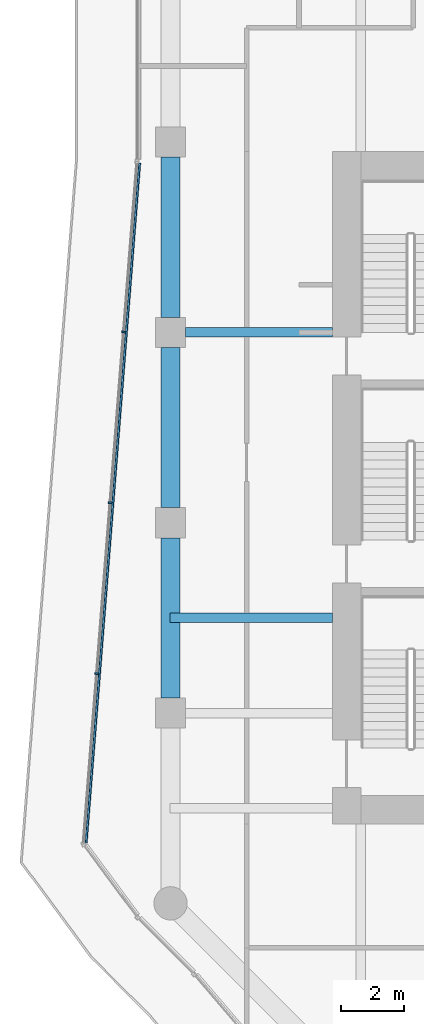
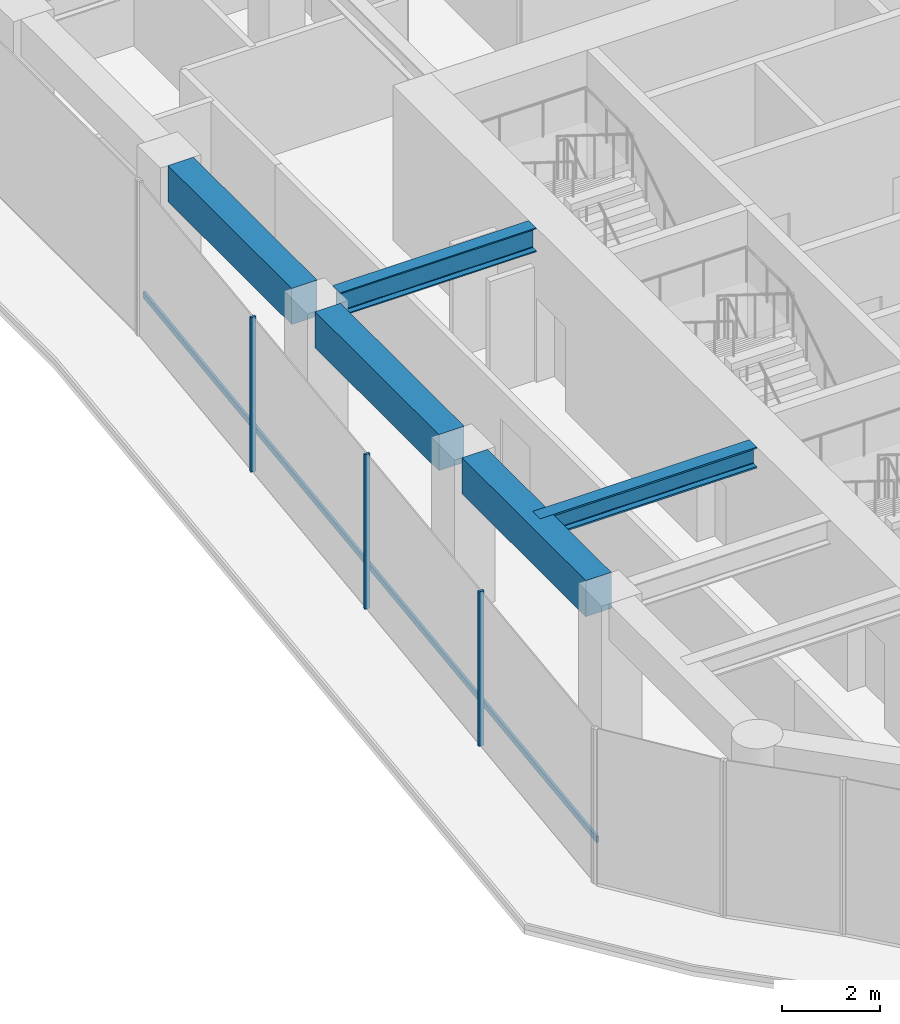
# One storey, part 4 of 29: 5 beams, 4 members, 1 element without a shape of its own.
"""IFC4 building model written with IfcOpenShell, lengths in metres."""

from ifc_helpers import new_model, si_unit, direction, frame, origin, origin_2d, place, context, subcontext, project, spatial, rectangle, i_section, extrude, material, layer, layer_set, material_profile, profile_set, type_object, element, aggregate, save


model = new_model("IFC4")

# Units and contexts
model_context = context("Model", 3, precision=1e-05, world=origin(), true_north=direction((0.0, 1.0)))
body_context = subcontext(model_context, "Body", "Model", "MODEL_VIEW")
ifc_project = project(units=[si_unit("LENGTHUNIT", "METRE"), si_unit("AREAUNIT", "SQUARE_METRE"), si_unit("VOLUMEUNIT", "CUBIC_METRE"), si_unit("PLANEANGLEUNIT", "RADIAN"), si_unit("MASSUNIT", "GRAM", prefix="KILO")], contexts=[model_context])

# Site, building, storey
site_placement = place(None, origin())
site = spatial("IfcSite", under=ifc_project, at=site_placement, CompositionType="ELEMENT")
building_placement = place(site_placement, origin())
building = spatial("IfcBuilding", under=site, at=building_placement, Name="Welwitschia Terrace Campus", CompositionType="ELEMENT")
storey_placement = place(building_placement, frame((0.0, 0.0, 33.199951171875)))
storey = spatial("IfcBuildingStorey", under=building, at=storey_placement, Name="L07", CompositionType="ELEMENT", Elevation=33.199951171875)

# Beam
ifc_material_1 = material(Name="Steel S355", Category="steel")
ifc_material_profile_1 = material_profile(ifc_material_1, i_section(OverallWidth=0.305908203125, OverallDepth=0.52392578125, WebThickness=0.02099609375, FlangeThickness=0.0400390625, FilletRadius=0.027099609375, at=origin_2d()))
ifc_profile_set_1 = profile_set([ifc_material_profile_1], Name="Steel S355")
beam_type_1 = type_object("IfcBeamType", Name="Interior girder HE 500 M", PredefinedType="BEAM", material=ifc_profile_set_1)
beam_1_placement = place(storey_placement, frame((-0.010009765625, 11.0, 3.588134765625), z_axis=(1.0, 0.0, 0.0), x_axis=(0.0, 1.0, 0.0)))
element("IfcBeam", 1, at=beam_1_placement, inside=storey, type_object=beam_type_1, Name="Girder GB2", PredefinedType="BEAM", context=body_context, shape_type="SweptSolid", body=[
    extrude(i_section(OverallWidth=0.305908203125, OverallDepth=0.52392578125, WebThickness=0.02099609375, FlangeThickness=0.0400390625, FilletRadius=0.027099609375, at=origin_2d()), origin(), (0.0, 0.0, 1.0), 5.109130859375),
])

# Curtain wall, members
ifc_material_2 = material(Name="Bronze anodised aluminium", Category="aluminium")
ifc_layer = layer(ifc_material_2, 0.1201171875)
ifc_layer_set = layer_set([ifc_layer], Name="Bronze anodised aluminium")
curtain_wall_type = type_object("IfcCurtainWallType", Name="Curtain wall CW2 tower 6000", PredefinedType="NOTDEFINED", material=ifc_layer_set)
curtain_wall_placement = place(storey_placement, origin())
curtain_wall = element("IfcCurtainWall", 2, at=curtain_wall_placement, inside=storey, type_object=curtain_wall_type, Name="CW L07.0.0", PredefinedType="NOTDEFINED")
ifc_material_3 = material(Name="Bronze anodised aluminium", Category="aluminium")
ifc_material_profile_2 = material_profile(ifc_material_3, rectangle(XDim=0.1201171875, YDim=0.06005859375, at=origin_2d()))
ifc_profile_set_2 = profile_set([ifc_material_profile_2], Name="Bronze anodised aluminium")
member_type_1 = type_object("IfcMemberType", Name="Mullion 60x120", PredefinedType="MULLION", material=ifc_profile_set_2)
member_1_placement = place(storey_placement, frame((-1.48193359375, 20.0126953125, 0.0), z_axis=(0.0, 0.0, 1.0), x_axis=(0.996917333733, -0.078459095728, 0.0)))
member_1 = element("IfcMember", 3, at=member_1_placement, type_object=member_type_1, Name="Mullion L07.0.0.1", PredefinedType="MULLION", context=body_context, shape_type="SweptSolid", body=[
    extrude(rectangle(XDim=0.1201171875, YDim=0.06005859375, at=origin_2d()), origin(), (0.0, 0.0, 1.0), 3.85009765625),
])
member_2_placement = place(storey_placement, frame((-1.90576171875, 14.62744140625, 0.0), z_axis=(0.0, 0.0, 1.0), x_axis=(0.996917333733, -0.078459095728, 0.0)))
member_2 = element("IfcMember", 4, at=member_2_placement, type_object=member_type_1, Name="Mullion L07.0.0.2", PredefinedType="MULLION", context=body_context, shape_type="SweptSolid", body=[
    extrude(rectangle(XDim=0.1201171875, YDim=0.06005859375, at=origin_2d()), origin(), (0.0, 0.0, 1.0), 3.85009765625),
])
member_3_placement = place(storey_placement, frame((-2.32958984375, 9.241943359375, 0.0), z_axis=(0.0, 0.0, 1.0), x_axis=(0.996917333733, -0.078459095728, 0.0)))
member_3 = element("IfcMember", 5, at=member_3_placement, type_object=member_type_1, Name="Mullion L07.0.0.3", PredefinedType="MULLION", context=body_context, shape_type="SweptSolid", body=[
    extrude(rectangle(XDim=0.1201171875, YDim=0.06005859375, at=origin_2d()), origin(), (0.0, 0.0, 1.0), 3.85009765625),
])

# Beams
ifc_material_4 = material(Name="Steel S355", Category="steel")
ifc_material_profile_3 = material_profile(ifc_material_4, i_section(OverallWidth=0.300048828125, OverallDepth=0.60009765625, WebThickness=0.015380859375, FlangeThickness=0.030029296875, FilletRadius=0.027099609375, at=origin_2d()))
ifc_profile_set_3 = profile_set([ifc_material_profile_3], Name="Steel S355")
beam_type_2 = type_object("IfcBeamType", Name="Primary beam HE 600 B", PredefinedType="BEAM", material=ifc_profile_set_3)
beam_2_placement = place(storey_placement, frame((0.4755859375, 20.0, 3.550048828125), z_axis=(1.0, 0.0, 0.0), x_axis=(0.0, 1.0, 0.0)))
element("IfcBeam", 6, at=beam_2_placement, inside=storey, type_object=beam_type_2, Name="Primary beam PB2", PredefinedType="BEAM", context=body_context, shape_type="SweptSolid", body=[
    extrude(i_section(OverallWidth=0.300048828125, OverallDepth=0.60009765625, WebThickness=0.015380859375, FlangeThickness=0.030029296875, FilletRadius=0.027099609375, at=origin_2d()), origin(), (0.0, 0.0, 1.0), 4.62451171875),
])
ifc_material_5 = material(Name="Concrete C60/75", Category="concrete")
ifc_material_profile_4 = material_profile(ifc_material_5, rectangle(XDim=0.60009765625, YDim=0.89990234375, at=origin_2d()))
ifc_profile_set_4 = profile_set([ifc_material_profile_4], Name="Concrete C60/75")
beam_type_3 = type_object("IfcBeamType", Name="Ring spandrel 600x900", PredefinedType="SPANDREL", material=ifc_profile_set_4)
for number, where, z_axis, x_axis, name in (
    (7, (0.0, 25.5244140625, 3.400146484375), (0.0, -1.0, 0.0), (1.0, 0.0, 0.0), "Spandrel SP2"),
    (8, (0.0, 19.5244140625, 3.400146484375), (0.0, -1.0, 0.0), (1.0, 0.0, 0.0), "Spandrel SP2"),
    (9, (0.0, 13.5244140625, 3.400146484375), (0.0, -1.0, 0.0), (1.0, 0.0, 0.0), "Spandrel SP2"),
):
    element("IfcBeam", number, at=place(storey_placement, frame(where, z_axis=z_axis, x_axis=x_axis)), inside=storey, type_object=beam_type_3, Name=name, PredefinedType="SPANDREL", context=body_context, shape_type="SweptSolid", body=[
        extrude(rectangle(XDim=0.60009765625, YDim=0.89990234375, at=origin_2d()), origin(), (0.0, 0.0, 1.0), 5.048828125),
    ])

# Member
ifc_material_6 = material(Name="Bronze anodised aluminium", Category="aluminium")
ifc_material_profile_5 = material_profile(ifc_material_6, rectangle(XDim=0.06005859375, YDim=0.14990234375, at=origin_2d()))
ifc_profile_set_5 = profile_set([ifc_material_profile_5], Name="Bronze anodised aluminium")
member_type_2 = type_object("IfcMemberType", Name="Transom 60x150", PredefinedType="USERDEFINED", material=ifc_profile_set_5)
member_4_placement = place(storey_placement, frame((-0.972900390625, 25.3310546875, 1.0), z_axis=(-0.078464472203, -0.996916910581, 0.0), x_axis=(0.996916910581, -0.078464472203, 0.0)))
member_4 = element("IfcMember", 10, at=member_4_placement, type_object=member_type_2, Name="Transom L07.0.0", ObjectType="TRANSOM", PredefinedType="USERDEFINED", context=body_context, shape_type="SweptSolid", body=[
    extrude(rectangle(XDim=0.06005859375, YDim=0.14990234375, at=origin_2d()), origin(), (0.0, 0.0, 1.0), 21.48779296875),
])

aggregate(curtain_wall, [member_1, member_2, member_3, member_4])

save(model, "model.ifc")
